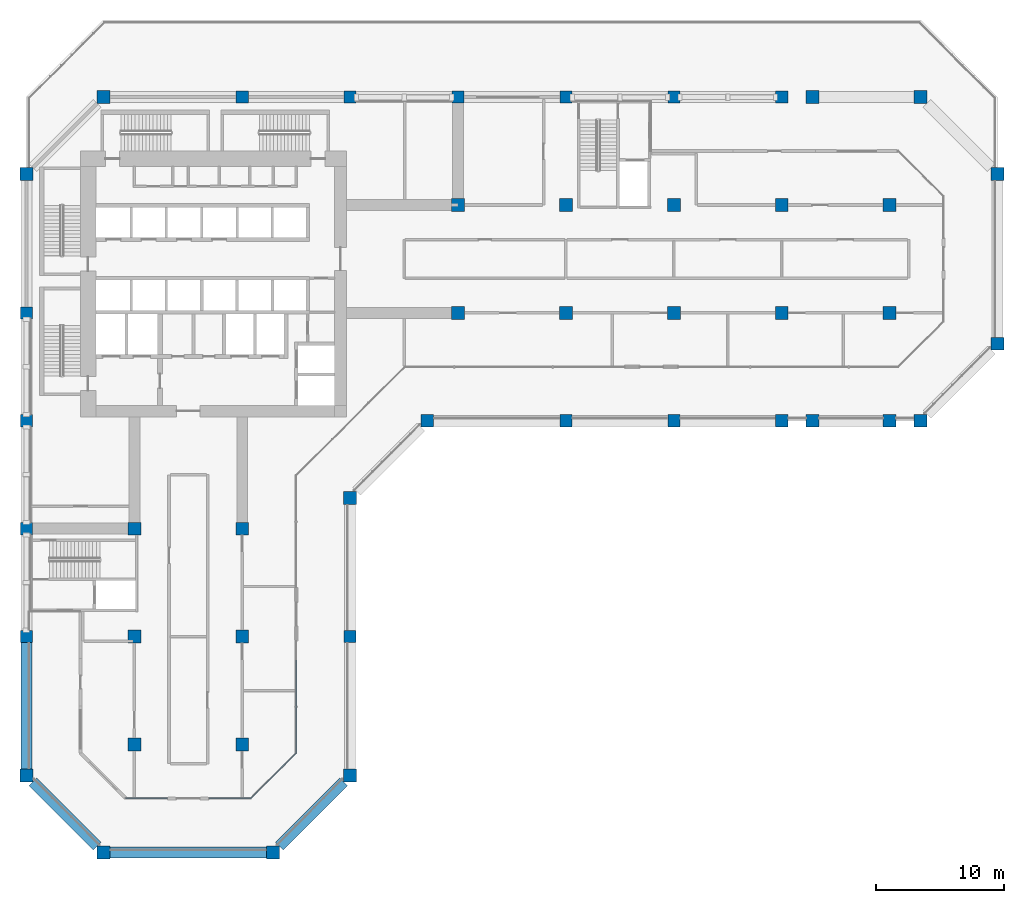
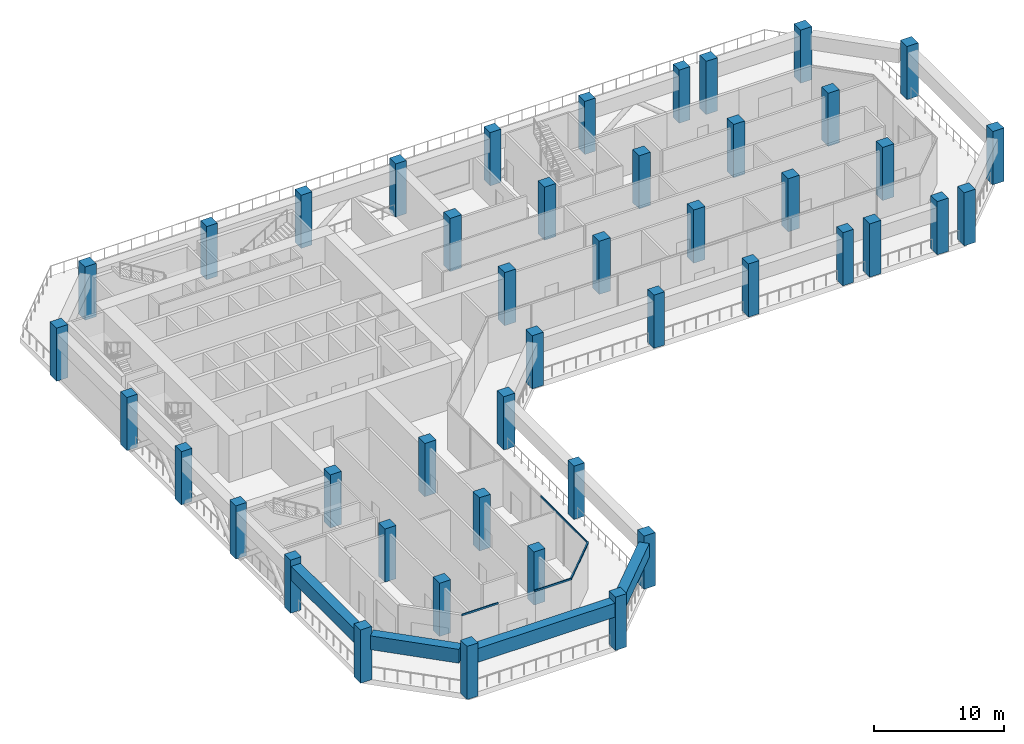
# One storey, part 1 of 19: 45 columns, 4 beams, 4 members, 3 elements without a shape of their own.
"""IFC4 building model written with IfcOpenShell, lengths in metres."""

from ifc_helpers import new_model, si_unit, direction, frame, origin, origin_2d, place, context, subcontext, project, spatial, rectangle, extrude, material, layer, layer_set, material_profile, profile_set, type_object, element, aggregate, save


model = new_model("IFC4")

# Units and contexts
model_context = context("Model", 3, precision=1e-05, world=origin(), true_north=direction((0.0, 1.0)))
body_context = subcontext(model_context, "Body", "Model", "MODEL_VIEW")
ifc_project = project(units=[si_unit("LENGTHUNIT", "METRE"), si_unit("AREAUNIT", "SQUARE_METRE"), si_unit("VOLUMEUNIT", "CUBIC_METRE"), si_unit("PLANEANGLEUNIT", "RADIAN"), si_unit("MASSUNIT", "GRAM", prefix="KILO")], contexts=[model_context])

# Site, building, storey
site_placement = place(None, origin())
site = spatial("IfcSite", under=ifc_project, at=site_placement, CompositionType="ELEMENT")
building_placement = place(site_placement, origin())
building = spatial("IfcBuilding", under=site, at=building_placement, Name="Kawkab Arch Medical Tower", CompositionType="ELEMENT")
storey_placement = place(building_placement, frame((0.0, 0.0, 153.39990234375)))
storey = spatial("IfcBuildingStorey", under=building, at=storey_placement, Name="L35", CompositionType="ELEMENT", Elevation=153.39990234375)

# Columns
ifc_material_1 = material(Name="Concrete C50/60", Category="concrete")
ifc_material_profile_1 = material_profile(ifc_material_1, rectangle(XDim=1.0, YDim=1.0, at=origin_2d()), Name="RC 1000x1000")
ifc_profile_set_1 = profile_set([ifc_material_profile_1], Name="Concrete C50/60")
column_type_1 = type_object("IfcColumnType", Name="RC 1000x1000 column C50/60", PredefinedType="COLUMN", material=ifc_profile_set_1)
for number, where, z_axis, x_axis, name in (
    (1, (6.0, 0.0, 0.0), (0.0, 0.0, 1.0), (1.0, 0.0, 0.0), "Column RC 1000x1000"),
    (2, (69.60009765625, 0.0, 0.0), (0.0, 0.0, 1.0), (1.0, 0.0, 0.0), "Column RC 1000x1000"),
    (3, (0.0, -6.0, 0.0), (0.0, 0.0, 1.0), (1.0, 0.0, 0.0), "Column RC 1000x1000"),
    (4, (75.60009765625, -6.0, 0.0), (0.0, 0.0, 1.0), (1.0, 0.0, 0.0), "Column RC 1000x1000"),
):
    element("IfcColumn", number, at=place(storey_placement, frame(where, z_axis=z_axis, x_axis=x_axis)), inside=storey, type_object=column_type_1, Name=name, PredefinedType="COLUMN", context=body_context, shape_type="SweptSolid", body=[
        extrude(rectangle(XDim=1.0, YDim=1.0, at=origin_2d()), origin(), (0.0, 0.0, 1.0), 5.0),
    ])
column_placement = place(storey_placement, frame((33.60009765625, -8.39990234375, 0.0), z_axis=(0.0, 0.0, 1.0), x_axis=(1.0, 0.0, 0.0)))
element("IfcColumn", 5, at=column_placement, inside=storey, type_object=column_type_1, Name="Column RC 1000x1000", PredefinedType="COLUMN", context=body_context, shape_type="SweptSolid", body=[
    extrude(rectangle(XDim=1.0, YDim=1.0, at=origin_2d()), origin(), (0.0, 0.0, 1.0), 5.0),
])
for number, where, z_axis, x_axis, name in (
    (6, (42.0, -8.39990234375, 0.0), (0.0, 0.0, 1.0), (1.0, 0.0, 0.0), "Column RC 1000x1000"),
    (7, (50.39990234375, -8.39990234375, 0.0), (0.0, 0.0, 1.0), (1.0, 0.0, 0.0), "Column RC 1000x1000"),
    (8, (58.800048828125, -8.39990234375, 0.0), (0.0, 0.0, 1.0), (1.0, 0.0, 0.0), "Column RC 1000x1000"),
    (9, (67.199951171875, -8.39990234375, 0.0), (0.0, 0.0, 1.0), (1.0, 0.0, 0.0), "Column RC 1000x1000"),
    (10, (33.60009765625, -16.800048828125, 0.0), (0.0, 0.0, 1.0), (1.0, 0.0, 0.0), "Column RC 1000x1000"),
    (11, (42.0, -16.800048828125, 0.0), (0.0, 0.0, 1.0), (1.0, 0.0, 0.0), "Column RC 1000x1000"),
    (12, (50.39990234375, -16.800048828125, 0.0), (0.0, 0.0, 1.0), (1.0, 0.0, 0.0), "Column RC 1000x1000"),
    (13, (58.800048828125, -16.800048828125, 0.0), (0.0, 0.0, 1.0), (1.0, 0.0, 0.0), "Column RC 1000x1000"),
    (14, (67.199951171875, -16.800048828125, 0.0), (0.0, 0.0, 1.0), (1.0, 0.0, 0.0), "Column RC 1000x1000"),
    (15, (75.60009765625, -19.199951171875, 0.0), (0.0, 0.0, 1.0), (1.0, 0.0, 0.0), "Column RC 1000x1000"),
    (16, (31.199951171875, -25.199951171875, 0.0), (0.0, 0.0, 1.0), (1.0, 0.0, 0.0), "Column RC 1000x1000"),
    (17, (69.60009765625, -25.199951171875, 0.0), (0.0, 0.0, 1.0), (1.0, 0.0, 0.0), "Column RC 1000x1000"),
    (18, (25.199951171875, -31.199951171875, 0.0), (0.0, 0.0, 1.0), (1.0, 0.0, 0.0), "Column RC 1000x1000"),
    (19, (8.39990234375, -33.60009765625, 0.0), (0.0, 0.0, 1.0), (1.0, 0.0, 0.0), "Column RC 1000x1000"),
    (20, (16.800048828125, -33.60009765625, 0.0), (0.0, 0.0, 1.0), (1.0, 0.0, 0.0), "Column RC 1000x1000"),
    (21, (8.39990234375, -42.0, 0.0), (0.0, 0.0, 1.0), (1.0, 0.0, 0.0), "Column RC 1000x1000"),
    (22, (16.800048828125, -42.0, 0.0), (0.0, 0.0, 1.0), (1.0, 0.0, 0.0), "Column RC 1000x1000"),
    (23, (8.39990234375, -50.39990234375, 0.0), (0.0, 0.0, 1.0), (1.0, 0.0, 0.0), "Column RC 1000x1000"),
    (24, (16.800048828125, -50.39990234375, 0.0), (0.0, 0.0, 1.0), (1.0, 0.0, 0.0), "Column RC 1000x1000"),
    (25, (0.0, -52.800048828125, 0.0), (0.0, 0.0, 1.0), (1.0, 0.0, 0.0), "Column RC 1000x1000"),
    (26, (25.199951171875, -52.800048828125, 0.0), (0.0, 0.0, 1.0), (1.0, 0.0, 0.0), "Column RC 1000x1000"),
    (27, (6.0, -58.800048828125, 0.0), (0.0, 0.0, 1.0), (1.0, 0.0, 0.0), "Column RC 1000x1000"),
    (28, (19.199951171875, -58.800048828125, 0.0), (0.0, 0.0, 1.0), (1.0, 0.0, 0.0), "Column RC 1000x1000"),
    (29, (61.199951171875, 0.0, 0.0), (0.0, 0.0, 1.0), (1.0, 0.0, 0.0), "Column RC 1000x1000"),
    (30, (61.199951171875, -25.199951171875, 0.0), (0.0, 0.0, 1.0), (1.0, 0.0, 0.0), "Column RC 1000x1000"),
    (31, (67.199951171875, -25.199951171875, 0.0), (0.0, 0.0, 1.0), (1.0, 0.0, 0.0), "Column RC 1000x1000"),
):
    element("IfcColumn", number, at=place(storey_placement, frame(where, z_axis=z_axis, x_axis=x_axis)), inside=storey, type_object=column_type_1, Name=name, PredefinedType="COLUMN", context=body_context, shape_type="SweptSolid", body=[
        extrude(rectangle(XDim=1.0, YDim=1.0, at=origin_2d()), origin(), (0.0, 0.0, 1.0), 5.0),
    ])
ifc_material_2 = material(Name="Concrete C50/60", Category="concrete")
ifc_material_profile_2 = material_profile(ifc_material_2, rectangle(XDim=0.949951171875, YDim=0.949951171875, at=origin_2d()), Name="RC 950x950")
ifc_profile_set_2 = profile_set([ifc_material_profile_2], Name="Concrete C50/60")
column_type_2 = type_object("IfcColumnType", Name="RC 950x950 column C50/60", PredefinedType="COLUMN", material=ifc_profile_set_2)
for number, where, z_axis, x_axis, name in (
    (32, (16.800048828125, 0.0, 0.0), (0.0, 0.0, 1.0), (1.0, 0.0, 0.0), "Column RC 950x950"),
    (33, (25.199951171875, 0.0, 0.0), (0.0, 0.0, 1.0), (1.0, 0.0, 0.0), "Column RC 950x950"),
    (34, (33.60009765625, 0.0, 0.0), (0.0, 0.0, 1.0), (1.0, 0.0, 0.0), "Column RC 950x950"),
    (35, (42.0, 0.0, 0.0), (0.0, 0.0, 1.0), (1.0, 0.0, 0.0), "Column RC 950x950"),
    (36, (50.39990234375, 0.0, 0.0), (0.0, 0.0, 1.0), (1.0, 0.0, 0.0), "Column RC 950x950"),
    (37, (58.800048828125, 0.0, 0.0), (0.0, 0.0, 1.0), (1.0, 0.0, 0.0), "Column RC 950x950"),
    (38, (0.0, -16.800048828125, 0.0), (0.0, 0.0, 1.0), (1.0, 0.0, 0.0), "Column RC 950x950"),
    (39, (0.0, -25.199951171875, 0.0), (0.0, 0.0, 1.0), (1.0, 0.0, 0.0), "Column RC 950x950"),
    (40, (42.0, -25.199951171875, 0.0), (0.0, 0.0, 1.0), (1.0, 0.0, 0.0), "Column RC 950x950"),
    (41, (50.39990234375, -25.199951171875, 0.0), (0.0, 0.0, 1.0), (1.0, 0.0, 0.0), "Column RC 950x950"),
    (42, (58.800048828125, -25.199951171875, 0.0), (0.0, 0.0, 1.0), (1.0, 0.0, 0.0), "Column RC 950x950"),
    (43, (0.0, -33.60009765625, 0.0), (0.0, 0.0, 1.0), (1.0, 0.0, 0.0), "Column RC 950x950"),
    (44, (0.0, -42.0, 0.0), (0.0, 0.0, 1.0), (1.0, 0.0, 0.0), "Column RC 950x950"),
    (45, (25.199951171875, -42.0, 0.0), (0.0, 0.0, 1.0), (1.0, 0.0, 0.0), "Column RC 950x950"),
):
    element("IfcColumn", number, at=place(storey_placement, frame(where, z_axis=z_axis, x_axis=x_axis)), inside=storey, type_object=column_type_2, Name=name, PredefinedType="COLUMN", context=body_context, shape_type="SweptSolid", body=[
        extrude(rectangle(XDim=0.949951171875, YDim=0.949951171875, at=origin_2d()), origin(), (0.0, 0.0, 1.0), 5.0),
    ])

# Curtain wall, members
ifc_material_3 = material(Name="Bronze anodised aluminium curtain wall frame", Category="aluminium")
ifc_layer = layer(ifc_material_3, 0.159912109375)
ifc_layer_set = layer_set([ifc_layer], Name="Bronze anodised aluminium curtain wall frame")
curtain_wall_type = type_object("IfcCurtainWallType", Name="CW4 refuge floor fire-protected glazing", PredefinedType="NOTDEFINED", material=ifc_layer_set)
placement = place(storey_placement, origin())
curtain_wall_1 = element("IfcCurtainWall", 46, at=placement, inside=storey, type_object=curtain_wall_type, Name="CW4 Refuge floor fire-protected glazing R07", PredefinedType="NOTDEFINED")
ifc_material_4 = material(Name="Bronze anodised aluminium curtain wall frame", Category="aluminium")
ifc_material_profile_3 = material_profile(ifc_material_4, rectangle(XDim=0.080078125, YDim=0.159912109375, at=origin_2d()), Name="AL 80x160")
ifc_profile_set_3 = profile_set([ifc_material_profile_3], Name="Bronze anodised aluminium curtain wall frame")
member_type = type_object("IfcMemberType", Name="CW4 transom 160 x 80", PredefinedType="USERDEFINED", material=ifc_profile_set_3)
member_1_placement = place(storey_placement, frame((7.739990234375, -54.60107421875, 4.320068359375), z_axis=(1.0, 0.0, 0.0), x_axis=(0.0, 1.0, 0.0)))
member_1 = element("IfcMember", 47, at=member_1_placement, type_object=member_type, Name="CW4 transom 1", ObjectType="TRANSOM", PredefinedType="USERDEFINED", context=body_context, shape_type="SweptSolid", body=[
    extrude(rectangle(XDim=0.080078125, YDim=0.159912109375, at=origin_2d()), origin(), (0.0, 0.0, 1.0), 3.239990234375),
])
member_2_placement = place(storey_placement, frame((14.219970703125, -54.60107421875, 4.320068359375), z_axis=(1.0, 0.0, 0.0), x_axis=(0.0, 1.0, 0.0)))
member_2 = element("IfcMember", 48, at=member_2_placement, type_object=member_type, Name="CW4 transom 3", ObjectType="TRANSOM", PredefinedType="USERDEFINED", context=body_context, shape_type="SweptSolid", body=[
    extrude(rectangle(XDim=0.080078125, YDim=0.159912109375, at=origin_2d()), origin(), (0.0, 0.0, 1.0), 3.239990234375),
])
aggregate(curtain_wall_1, [member_1, member_2])

# Curtain wall, member
curtain_wall_2 = element("IfcCurtainWall", 49, at=placement, inside=storey, type_object=curtain_wall_type, Name="CW4 Refuge floor fire-protected glazing R08", PredefinedType="NOTDEFINED")
member_3_placement = place(storey_placement, frame((17.4599609375, -54.60009765625, 4.320068359375), z_axis=(0.707106781187, 0.707106781187, 0.0), x_axis=(-0.707106781187, 0.707106781187, 0.0)))
member_3 = element("IfcMember", 50, at=member_3_placement, type_object=member_type, Name="CW4 transom 1", ObjectType="TRANSOM", PredefinedType="USERDEFINED", context=body_context, shape_type="SweptSolid", body=[
    extrude(rectangle(XDim=0.080078125, YDim=0.159912109375, at=origin_2d()), origin(), (0.0, 0.0, 1.0), 5.00634765625),
])
aggregate(curtain_wall_2, [member_3])

curtain_wall_3 = element("IfcCurtainWall", 51, at=placement, inside=storey, type_object=curtain_wall_type, Name="CW4 Refuge floor fire-protected glazing R09", PredefinedType="NOTDEFINED")
member_4_placement = place(storey_placement, frame((21.0, -51.06005859375, 4.320068359375), z_axis=(0.0, 1.0, 0.0), x_axis=(-1.0, 0.0, 0.0)))
member_4 = element("IfcMember", 52, at=member_4_placement, type_object=member_type, Name="CW4 transom 1", ObjectType="TRANSOM", PredefinedType="USERDEFINED", context=body_context, shape_type="SweptSolid", body=[
    extrude(rectangle(XDim=0.080078125, YDim=0.159912109375, at=origin_2d()), origin(), (0.0, 0.0, 1.0), 7.199951171875),
])
aggregate(curtain_wall_3, [member_4])

# Beams
ifc_material_5 = material(Name="Concrete C50/60", Category="concrete")
ifc_material_profile_4 = material_profile(ifc_material_5, rectangle(XDim=0.85009765625, YDim=1.300048828125, at=origin_2d()), Name="RC 850x1300")
ifc_profile_set_4 = profile_set([ifc_material_profile_4], Name="Concrete C50/60")
beam_type = type_object("IfcBeamType", Name="RC 850x1300 beam C50/60", PredefinedType="SPANDREL", material=ifc_profile_set_4)
beam_1_placement = place(storey_placement, frame((24.699951171875, -53.300048828125, 3.75), z_axis=(-0.707106781187, -0.707106781187, 0.0), x_axis=(0.707106781187, -0.707106781187, 0.0)))
element("IfcBeam", 53, at=beam_1_placement, inside=storey, type_object=beam_type, Name="Belt beam L35-22", PredefinedType="SPANDREL", context=body_context, shape_type="SweptSolid", body=[
    extrude(rectangle(XDim=0.85009765625, YDim=1.300048828125, at=origin_2d()), origin(), (0.0, 0.0, 1.0), 7.071044921875),
])
beam_2_placement = place(storey_placement, frame((18.699951171875, -58.800048828125, 3.75), z_axis=(-1.0, 0.0, 0.0), x_axis=(0.0, -1.0, 0.0)))
element("IfcBeam", 54, at=beam_2_placement, inside=storey, type_object=beam_type, Name="Belt beam L35-23", PredefinedType="SPANDREL", context=body_context, shape_type="SweptSolid", body=[
    extrude(rectangle(XDim=0.85009765625, YDim=1.300048828125, at=origin_2d()), origin(), (0.0, 0.0, 1.0), 12.199951171875),
])
beam_3_placement = place(storey_placement, frame((5.5, -58.300048828125, 3.75), z_axis=(-0.707106781187, 0.707106781187, 0.0), x_axis=(-0.707106781187, -0.707106781187, 0.0)))
element("IfcBeam", 55, at=beam_3_placement, inside=storey, type_object=beam_type, Name="Belt beam L35-24", PredefinedType="SPANDREL", context=body_context, shape_type="SweptSolid", body=[
    extrude(rectangle(XDim=0.85009765625, YDim=1.300048828125, at=origin_2d()), origin(), (0.0, 0.0, 1.0), 7.071044921875),
])
beam_4_placement = place(storey_placement, frame((0.0, -52.300048828125, 3.75), z_axis=(0.0, 1.0, 0.0), x_axis=(-1.0, 0.0, 0.0)))
element("IfcBeam", 56, at=beam_4_placement, inside=storey, type_object=beam_type, Name="Belt beam L35-25", PredefinedType="SPANDREL", context=body_context, shape_type="SweptSolid", body=[
    extrude(rectangle(XDim=0.85009765625, YDim=1.300048828125, at=origin_2d()), origin(), (0.0, 0.0, 1.0), 9.824951171875),
])

save(model, "model.ifc")
